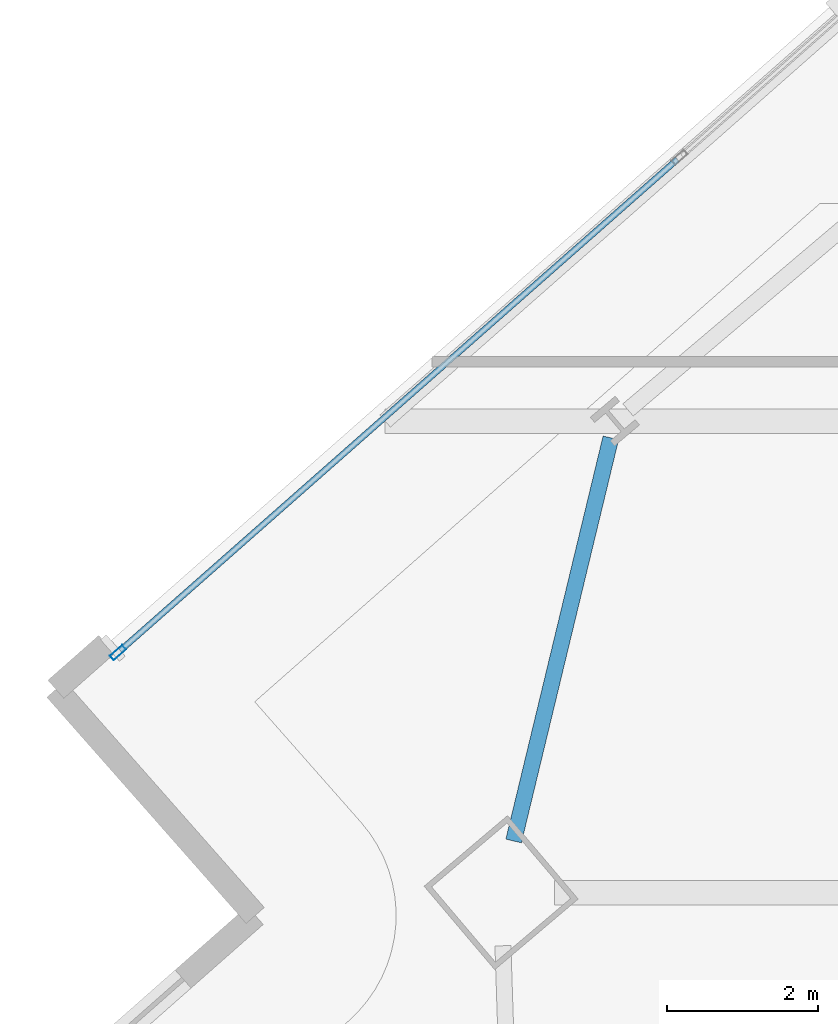
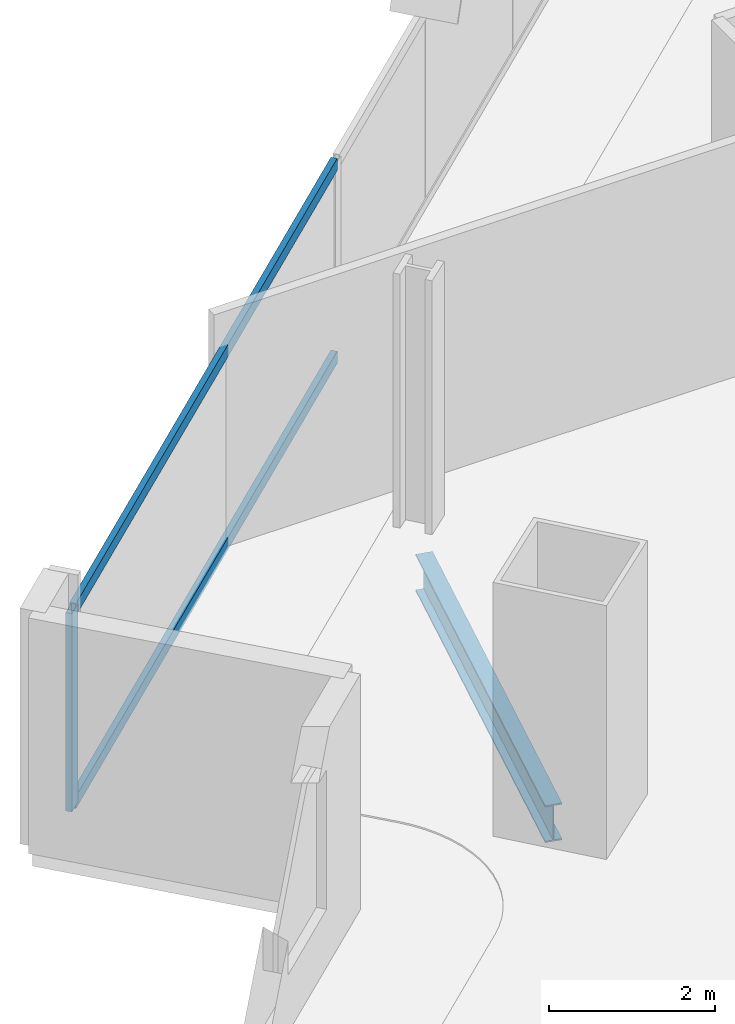
# One storey, part 14 of 34: 3 members, 1 beam, 1 element without a shape of its own.
"""IFC4 building model written with IfcOpenShell, lengths in metres."""

from ifc_helpers import new_model, si_unit, direction, frame, origin, origin_2d, place, context, subcontext, project, spatial, hollow_rectangle, i_section, extrude, material, material_profile, profile_set, type_object, element, aggregate, save


model = new_model("IFC4")

# Units and contexts
model_context = context("Model", 3, precision=1e-05, world=origin(), true_north=direction((0.0, 1.0)))
body_context = subcontext(model_context, "Body", "Model", "MODEL_VIEW")
ifc_project = project(units=[si_unit("LENGTHUNIT", "METRE"), si_unit("AREAUNIT", "SQUARE_METRE"), si_unit("VOLUMEUNIT", "CUBIC_METRE"), si_unit("PLANEANGLEUNIT", "RADIAN"), si_unit("MASSUNIT", "GRAM", prefix="KILO")], contexts=[model_context])

# Site, building, storey
site_placement = place(None, origin())
site = spatial("IfcSite", under=ifc_project, at=site_placement, CompositionType="ELEMENT")
building_placement = place(site_placement, origin())
building = spatial("IfcBuilding", under=site, at=building_placement, Name="Haldenkirk Collegiate Tower", CompositionType="ELEMENT")
storey_placement = place(building_placement, frame((0.0, 0.0, 166.949951171875)))
storey = spatial("IfcBuildingStorey", under=building, at=storey_placement, Name="L41", CompositionType="ELEMENT", Elevation=166.949951171875)

# Beam
ifc_material_1 = material(Name="Steel ASTM A992 Grade 50", Category="steel")
ifc_material_profile_1 = material_profile(ifc_material_1, i_section(OverallWidth=0.2119140625, OverallDepth=0.5439453125, WebThickness=0.01318359375, FlangeThickness=0.021240234375, at=origin_2d()), Name="W21X83")
ifc_profile_set_1 = profile_set([ifc_material_profile_1], Name="Steel ASTM A992 Grade 50")
beam_type = type_object("IfcBeamType", Name="BM-SPANDREL-W21X83", PredefinedType="SPANDREL", material=ifc_profile_set_1)
beam_placement = place(storey_placement, frame((12.21630859375, 33.137451171875, -0.56201171875), z_axis=(-0.234477140293, -0.972121633686, 0.0), x_axis=(0.972121633686, -0.234477140293, 0.0)))
element("IfcBeam", 1, at=beam_placement, inside=storey, type_object=beam_type, Name="L41 perimeter spandrel beam 12", PredefinedType="SPANDREL", context=body_context, shape_type="SweptSolid", body=[
    extrude(i_section(OverallWidth=0.2119140625, OverallDepth=0.5439453125, WebThickness=0.01318359375, FlangeThickness=0.021240234375, at=origin_2d()), origin(), (0.0, 0.0, 1.0), 5.501708984375),
])

# Curtain wall, members
ifc_material_2 = material(Name="Anodised architectural bronze aluminium", Category="aluminium")
curtain_wall_type = type_object("IfcCurtainWallType", Name="CW-SYS1-CONVEX-LOW", PredefinedType="USERDEFINED", material=ifc_material_2)
curtain_wall_placement = place(storey_placement, origin())
curtain_wall = element("IfcCurtainWall", 2, at=curtain_wall_placement, inside=storey, type_object=curtain_wall_type, Name="L41 Lower tower convex bronze-framed unitised curtain wall", ObjectType="UNITISED CURTAIN WALL", PredefinedType="USERDEFINED")
ifc_material_profile_2 = material_profile(ifc_material_2, hollow_rectangle(XDim=0.080078125, YDim=0.219970703125, WallThickness=0.0048828125, at=origin_2d()), Name="CW-MUL-1A")
ifc_profile_set_2 = profile_set([ifc_material_profile_2], Name="Anodised architectural bronze aluminium")
member_type_1 = type_object("IfcMemberType", Name="CW-MUL-1A", PredefinedType="MULLION", material=ifc_profile_set_2)
member_1_placement = place(storey_placement, frame((5.676513671875, 30.28857421875, 0.0), z_axis=(0.0, 0.0, 1.0), x_axis=(-0.661310403519, 0.750112358382, 0.0)))
member_1 = element("IfcMember", 3, at=member_1_placement, type_object=member_type_1, Name="CW-1A mullion 1", PredefinedType="MULLION", context=body_context, shape_type="SweptSolid", body=[
    extrude(hollow_rectangle(XDim=0.080078125, YDim=0.219970703125, WallThickness=0.0048828125, at=origin_2d()), origin(), (0.0, 0.0, 1.0), 2.9111328125),
])
ifc_material_profile_3 = material_profile(ifc_material_2, hollow_rectangle(XDim=0.080078125, YDim=0.179931640625, WallThickness=0.0048828125, at=origin_2d()), Name="CW-TRN-1A")
ifc_profile_set_3 = profile_set([ifc_material_profile_3], Name="Anodised architectural bronze aluminium")
member_type_2 = type_object("IfcMemberType", Name="CW-TRN-1A", PredefinedType="USERDEFINED", material=ifc_profile_set_3)
member_2_placement = place(storey_placement, frame((5.70654296875, 30.31494140625, 0.0400390625), z_axis=(0.750117574924, 0.661304486443, 0.0), x_axis=(-0.661304486443, 0.750117574924, 0.0)))
member_2 = element("IfcMember", 4, at=member_2_placement, type_object=member_type_2, Name="CW-1A transom 1.1", ObjectType="TRANSOM", PredefinedType="USERDEFINED", context=body_context, shape_type="SweptSolid", body=[
    extrude(hollow_rectangle(XDim=0.080078125, YDim=0.179931640625, WallThickness=0.0048828125, at=origin_2d()), origin(), (0.0, 0.0, 1.0), 9.85498046875),
])
member_3_placement = place(storey_placement, frame((5.70654296875, 30.31494140625, 2.87109375), z_axis=(0.750117574924, 0.661304486443, 0.0), x_axis=(-0.661304486443, 0.750117574924, 0.0)))
member_3 = element("IfcMember", 5, at=member_3_placement, type_object=member_type_2, Name="CW-1A transom 1.2", ObjectType="TRANSOM", PredefinedType="USERDEFINED", context=body_context, shape_type="SweptSolid", body=[
    extrude(hollow_rectangle(XDim=0.080078125, YDim=0.179931640625, WallThickness=0.0048828125, at=origin_2d()), origin(), (0.0, 0.0, 1.0), 9.85498046875),
])
aggregate(curtain_wall, [member_1, member_2, member_3])

save(model, "model.ifc")
